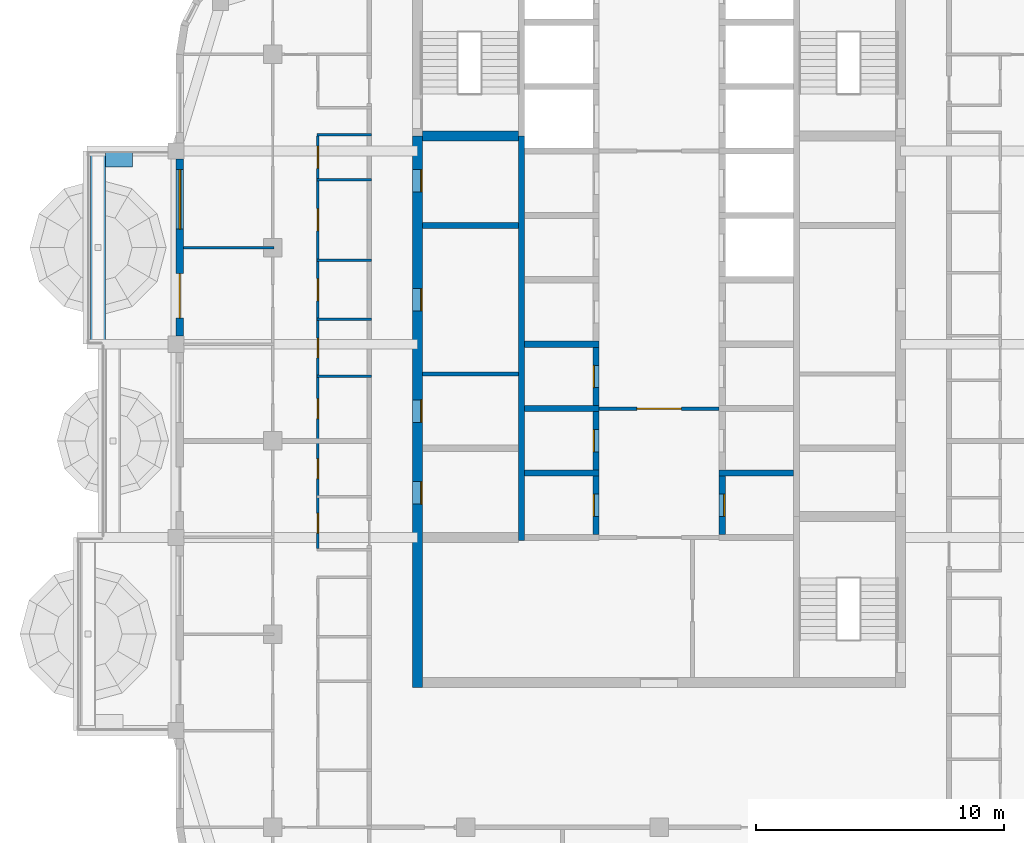
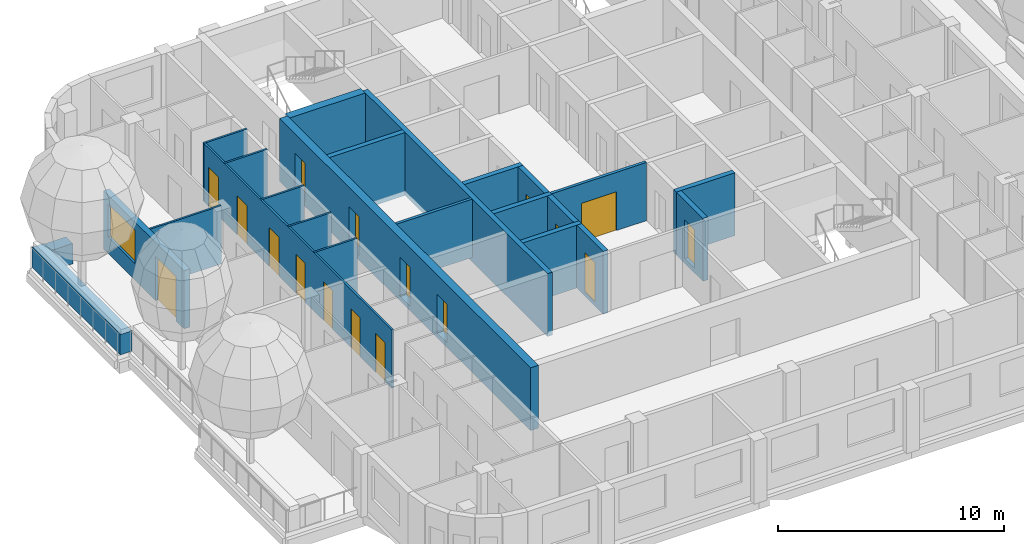
# One storey, part 4 of 13: 24 walls, 17 doors, 1 window, 18 openings.
"""IFC4 building model written with IfcOpenShell, lengths in metres."""

from ifc_helpers import new_model, si_unit, direction, frame, frame_2d, origin, place, context, subcontext, project, spatial, rectangle, extrude, material, layer, layer_set, type_object, element, fill, save


model = new_model("IFC4")

# Units and contexts
model_context = context("Model", 3, precision=1e-05, world=origin(), true_north=direction((0.0, 1.0)))
body_context = subcontext(model_context, "Body", "Model", "MODEL_VIEW")
ifc_project = project(units=[si_unit("LENGTHUNIT", "METRE"), si_unit("AREAUNIT", "SQUARE_METRE"), si_unit("VOLUMEUNIT", "CUBIC_METRE"), si_unit("PLANEANGLEUNIT", "RADIAN"), si_unit("MASSUNIT", "GRAM", prefix="KILO")], contexts=[model_context])

# Site, building, storey
site_placement = place(None, origin())
site = spatial("IfcSite", under=ifc_project, at=site_placement, CompositionType="ELEMENT")
building_placement = place(site_placement, origin())
building = spatial("IfcBuilding", under=site, at=building_placement, Name="Ludao Terraces", CompositionType="ELEMENT")
storey_placement = place(building_placement, frame((0.0, 0.0, 259.60009765625)))
storey = spatial("IfcBuildingStorey", under=building, at=storey_placement, Name="L71", CompositionType="ELEMENT", Elevation=259.60009765625)

# Wall, openings, doors
ifc_material_1 = material(Name="Concrete C50", Category="concrete")
ifc_layer_1 = layer(ifc_material_1, 0.39990234375)
ifc_layer_set_1 = layer_set([ifc_layer_1], Name="Core wall 400 C50")
wall_type_1 = type_object("IfcWallType", Name="Core wall 400 C50", PredefinedType="SOLIDWALL", material=ifc_layer_set_1)
wall_1_placement = place(storey_placement, frame((75.25, 55.050048828125, -0.25), z_axis=(0.0, 0.0, 1.0), x_axis=(0.0, 1.0, 0.0)))
wall_1 = element("IfcWall", 1, at=wall_1_placement, inside=storey, type_object=wall_type_1, Name="Core wall L71 outer-W", PredefinedType="SOLIDWALL", context=body_context, shape_type="SweptSolid", body=[
    extrude(rectangle(XDim=22.25, YDim=0.39990234375, at=frame_2d((11.125, 0.0))), origin(), (0.0, 0.0, 1.0), 3.39990234375),
])
opening_1_placement = place(wall_1_placement, frame((7.39990234375, 0.0, 0.25)))
opening_1 = element("IfcOpeningElement", 2, at=opening_1_placement, cuts=wall_1, Name="Opening R26-031", PredefinedType="OPENING", context=body_context, shape_type="SweptSolid", body=[
    extrude(rectangle(XDim=0.89990234375, YDim=2.10009765625, at=frame_2d((0.449951171875, 1.050048828125))), frame((0.0, 0.2099609375, 0.0), z_axis=(0.0, -1.0, 0.0), x_axis=(1.0, 0.0, 0.0)), (0.0, 0.0, 1.0), 0.419921875),
])
opening_2_placement = place(wall_1_placement, frame((10.699951171875, 0.0, 0.25)))
opening_2 = element("IfcOpeningElement", 3, at=opening_2_placement, cuts=wall_1, Name="Opening R26-039", PredefinedType="OPENING", context=body_context, shape_type="SweptSolid", body=[
    extrude(rectangle(XDim=0.89990234375, YDim=2.10009765625, at=frame_2d((0.449951171875, 1.050048828125))), frame((0.0, 0.2099609375, 0.0), z_axis=(0.0, -1.0, 0.0), x_axis=(1.0, 0.0, 0.0)), (0.0, 0.0, 1.0), 0.419921875),
])
opening_3_placement = place(wall_1_placement, frame((15.199951171875, 0.0, 0.25)))
opening_3 = element("IfcOpeningElement", 4, at=opening_3_placement, cuts=wall_1, Name="Opening R26-053", PredefinedType="OPENING", context=body_context, shape_type="SweptSolid", body=[
    extrude(rectangle(XDim=0.89990234375, YDim=2.10009765625, at=frame_2d((0.449951171875, 1.050048828125))), frame((0.0, 0.2099609375, 0.0), z_axis=(0.0, -1.0, 0.0), x_axis=(1.0, 0.0, 0.0)), (0.0, 0.0, 1.0), 0.419921875),
])
opening_4_placement = place(wall_1_placement, frame((20.0, 0.0, 0.25)))
opening_4 = element("IfcOpeningElement", 5, at=opening_4_placement, cuts=wall_1, Name="Opening R26-065", PredefinedType="OPENING", context=body_context, shape_type="SweptSolid", body=[
    extrude(rectangle(XDim=0.89990234375, YDim=2.10009765625, at=frame_2d((0.449951171875, 1.050048828125))), frame((0.0, 0.2099609375, 0.0), z_axis=(0.0, -1.0, 0.0), x_axis=(1.0, 0.0, 0.0)), (0.0, 0.0, 1.0), 0.419921875),
])
ifc_material_2 = material(Name="Steel Q235", Category="steel")
door_type_1 = type_object("IfcDoorType", Name="INT Riser door 900", OperationType="SINGLE_SWING_LEFT", PredefinedType="DOOR", material=ifc_material_2)
door_1_placement = place(opening_1_placement, origin())
door_1 = element("IfcDoor", 6, at=door_1_placement, inside=storey, type_object=door_type_1, Name="DOOR 031", OperationType="SINGLE_SWING_RIGHT", OverallHeight=2.10009765625, OverallWidth=0.89990234375, PredefinedType="DOOR", context=body_context, shape_type="SweptSolid", body=[
    extrude(rectangle(XDim=0.89990234375, YDim=2.10009765625, at=frame_2d((0.449951171875, 1.050048828125))), frame((0.0, -0.134765625, 0.0), z_axis=(0.0, -1.0, 0.0), x_axis=(1.0, 0.0, 0.0)), (0.0, 0.0, 1.0), 0.050048828125),
])
fill(opening_1, door_1)
door_2_placement = place(opening_4_placement, origin())
door_2 = element("IfcDoor", 7, at=door_2_placement, inside=storey, type_object=door_type_1, Name="DOOR 065", OperationType="SINGLE_SWING_LEFT", OverallHeight=2.10009765625, OverallWidth=0.89990234375, PredefinedType="DOOR", context=body_context, shape_type="SweptSolid", body=[
    extrude(rectangle(XDim=0.89990234375, YDim=2.10009765625, at=frame_2d((0.449951171875, 1.050048828125))), frame((0.0, -0.134765625, 0.0), z_axis=(0.0, -1.0, 0.0), x_axis=(1.0, 0.0, 0.0)), (0.0, 0.0, 1.0), 0.050048828125),
])
fill(opening_4, door_2)
ifc_material_3 = material(Name="Timber door leaf", Category="wood")
door_type_2 = type_object("IfcDoorType", Name="INT Room door 900", OperationType="SINGLE_SWING_LEFT", PredefinedType="DOOR", material=ifc_material_3)
door_3_placement = place(opening_2_placement, origin())
door_3 = element("IfcDoor", 8, at=door_3_placement, inside=storey, type_object=door_type_2, Name="DOOR 039", OperationType="SINGLE_SWING_RIGHT", OverallHeight=2.10009765625, OverallWidth=0.89990234375, PredefinedType="DOOR", context=body_context, shape_type="SweptSolid", body=[
    extrude(rectangle(XDim=0.89990234375, YDim=2.10009765625, at=frame_2d((0.449951171875, 1.050048828125))), frame((0.0, -0.134765625, 0.0), z_axis=(0.0, -1.0, 0.0), x_axis=(1.0, 0.0, 0.0)), (0.0, 0.0, 1.0), 0.050048828125),
])
fill(opening_2, door_3)
door_4_placement = place(opening_3_placement, origin())
door_4 = element("IfcDoor", 9, at=door_4_placement, inside=storey, type_object=door_type_2, Name="DOOR 053", OperationType="SINGLE_SWING_RIGHT", OverallHeight=2.10009765625, OverallWidth=0.89990234375, PredefinedType="DOOR", context=body_context, shape_type="SweptSolid", body=[
    extrude(rectangle(XDim=0.89990234375, YDim=2.10009765625, at=frame_2d((0.449951171875, 1.050048828125))), frame((0.0, -0.134765625, 0.0), z_axis=(0.0, -1.0, 0.0), x_axis=(1.0, 0.0, 0.0)), (0.0, 0.0, 1.0), 0.050048828125),
])
fill(opening_3, door_4)

# Walls
ifc_material_4 = material(Name="Concrete C40", Category="concrete")
ifc_layer_2 = layer(ifc_material_4, 0.60009765625)
ifc_layer_set_2 = layer_set([ifc_layer_2], Name="ENV Planter trough 600")
wall_type_2 = type_object("IfcWallType", Name="ENV Planter trough 600", PredefinedType="USERDEFINED", material=ifc_layer_set_2)
wall_2_placement = place(storey_placement, frame((62.35009765625, 68.89990234375, 0.0), z_axis=(0.0, 0.0, 1.0), x_axis=(0.0, 1.0, 0.0)))
element("IfcWall", 10, at=wall_2_placement, inside=storey, type_object=wall_type_2, Name="PL-L71-W3", ObjectType="PLANTER", PredefinedType="USERDEFINED", context=body_context, shape_type="SweptSolid", body=[
    extrude(rectangle(XDim=7.800048828125, YDim=0.60009765625, at=frame_2d((3.89990234375, 0.0))), origin(), (0.0, 0.0, 1.0), 1.099853515625),
])
wall_3_placement = place(storey_placement, frame((62.64990234375, 76.35009765625, 0.0), z_axis=(0.0, 0.0, 1.0), x_axis=(1.0, 0.0, 0.0)))
element("IfcWall", 11, at=wall_3_placement, inside=storey, type_object=wall_type_2, Name="PL-L71-W3-SB", ObjectType="PLANTER", PredefinedType="USERDEFINED", context=body_context, shape_type="SweptSolid", body=[
    extrude(rectangle(XDim=1.10009765625, YDim=0.60009765625, at=frame_2d((0.550048828125, 0.0))), origin(), (0.0, 0.0, 1.0), 1.099853515625),
])

# Wall, openings, door, window
ifc_material_5 = material(Name="Granite cladding", Category="masonry")
ifc_layer_3 = layer(ifc_material_5, 0.0400390625, Category="stone")
ifc_material_6 = material(Name="Mineral wool")
ifc_layer_4 = layer(ifc_material_6, 0.06005859375)
ifc_layer_5 = layer(ifc_material_4, 0.199951171875, Category="concrete")
ifc_layer_set_3 = layer_set([ifc_layer_3, ifc_layer_4, ifc_layer_5], Name="ENV Stone-clad wall 300")
wall_type_3 = type_object("IfcWallType", Name="ENV Stone-clad wall 300", PredefinedType="SOLIDWALL", material=ifc_layer_set_3)
wall_4_placement = place(storey_placement, frame((65.64990234375, 69.22509765625, 0.0), z_axis=(0.0, 0.0, 1.0), x_axis=(0.0, 1.0, 0.0)))
wall_4 = element("IfcWall", 12, at=wall_4_placement, inside=storey, type_object=wall_type_3, Name="EW-L71-W4", PredefinedType="SOLIDWALL", context=body_context, shape_type="SweptSolid", body=[
    extrude(rectangle(XDim=7.14990234375, YDim=0.300048828125, at=frame_2d((3.574951171875, 0.0))), origin(), (0.0, 0.0, 1.0), 3.14990234375),
])
opening_5_placement = place(wall_4_placement, frame((0.72509765625, 0.0, 0.0)))
opening_5 = element("IfcOpeningElement", 13, at=opening_5_placement, cuts=wall_4, Name="Opening BD", PredefinedType="OPENING", context=body_context, shape_type="SweptSolid", body=[
    extrude(rectangle(XDim=1.800048828125, YDim=2.39990234375, at=frame_2d((0.89990234375, 1.199951171875))), frame((0.0, 0.16015625, 0.0), z_axis=(0.0, -1.0, 0.0), x_axis=(1.0, 0.0, 0.0)), (0.0, 0.0, 1.0), 0.320068359375),
])
opening_6_placement = place(wall_4_placement, frame((4.324951171875, 0.0, 0.89990234375)))
opening_6 = element("IfcOpeningElement", 14, at=opening_6_placement, cuts=wall_4, Name="Opening W1", PredefinedType="OPENING", context=body_context, shape_type="SweptSolid", body=[
    extrude(rectangle(XDim=2.39990234375, YDim=1.800048828125, at=frame_2d((1.199951171875, 0.89990234375))), frame((0.0, 0.16015625, 0.0), z_axis=(0.0, -1.0, 0.0), x_axis=(1.0, 0.0, 0.0)), (0.0, 0.0, 1.0), 0.320068359375),
])
ifc_material_7 = material(Name="Aluminium glazed door", Category="aluminium")
ifc_layer_6 = layer(ifc_material_7, 0.06005859375)
ifc_layer_set_4 = layer_set([ifc_layer_6], Name="ENV Balcony door BD 1800x2400")
door_type_3 = type_object("IfcDoorType", Name="ENV Balcony door BD 1800x2400", OperationType="DOUBLE_DOOR_SINGLE_SWING", PredefinedType="DOOR", material=ifc_layer_set_4)
door_5_placement = place(opening_5_placement, origin())
door_5 = element("IfcDoor", 15, at=door_5_placement, inside=storey, type_object=door_type_3, Name="BD-L71-W4-1", OperationType="DOUBLE_DOOR_SINGLE_SWING", OverallHeight=2.39990234375, OverallWidth=1.800048828125, PredefinedType="DOOR", context=body_context, shape_type="SweptSolid", body=[
    extrude(rectangle(XDim=1.800048828125, YDim=2.39990234375, at=frame_2d((0.89990234375, 1.199951171875))), frame((0.0, 0.02490234375, 0.0), z_axis=(0.0, -1.0, 0.0), x_axis=(1.0, 0.0, 0.0)), (0.0, 0.0, 1.0), 0.050048828125),
])
fill(opening_5, door_5)
ifc_material_8 = material(Name="Clear glass in aluminium frame", Category="aluminium")
ifc_layer_7 = layer(ifc_material_8, 0.06005859375)
ifc_layer_set_5 = layer_set([ifc_layer_7], Name="ENV Window W1 2400x1800")
window_type = type_object("IfcWindowType", Name="ENV Window W1 2400x1800", PartitioningType="DOUBLE_PANEL_VERTICAL", PredefinedType="WINDOW", material=ifc_layer_set_5)
window_placement = place(opening_6_placement, origin())
window = element("IfcWindow", 16, at=window_placement, inside=storey, type_object=window_type, Name="W-L71-W4-2", OverallHeight=1.800048828125, OverallWidth=2.39990234375, PartitioningType="DOUBLE_PANEL_VERTICAL", PredefinedType="WINDOW", context=body_context, shape_type="SweptSolid", body=[
    extrude(rectangle(XDim=2.39990234375, YDim=1.800048828125, at=frame_2d((1.199951171875, 0.89990234375))), frame((0.0, 0.030029296875, 0.0), z_axis=(0.0, -1.0, 0.0), x_axis=(1.0, 0.0, 0.0)), (0.0, 0.0, 1.0), 0.06005859375),
])
fill(opening_6, window)

# Wall, opening, door
ifc_material_9 = material(Name="Fire-rated gypsum plasterboard", Category="gypsum")
ifc_layer_8 = layer(ifc_material_9, 0.012451171875, Category="gypsum")
ifc_layer_9 = layer(ifc_material_6, 0.10009765625, Name="insulation")
ifc_layer_10 = layer(ifc_material_2, 0.02490234375, Name="stud")
ifc_layer_11 = layer(ifc_material_9, 0.012451171875, Category="gypsum")
ifc_layer_set_6 = layer_set([ifc_layer_8, ifc_layer_9, ifc_layer_10, ifc_layer_11], Name="INT Core partition 150")
wall_type_4 = type_object("IfcWallType", Name="INT Core partition 150", PredefinedType="PARTITIONING", material=ifc_layer_set_6)
wall_5_placement = place(storey_placement, frame((82.5751953125, 66.300048828125, 0.0), z_axis=(0.0, 0.0, 1.0), x_axis=(1.0, 0.0, 0.0)))
wall_5 = element("IfcWall", 17, at=wall_5_placement, inside=storey, type_object=wall_type_4, Name="PW-L71-PW024", PredefinedType="PARTITIONING", context=body_context, shape_type="SweptSolid", body=[
    extrude(rectangle(XDim=4.849853515625, YDim=0.14990234375, at=frame_2d((2.4248046875, 0.0))), origin(), (0.0, 0.0, 1.0), 3.14990234375),
])
opening_7_placement = place(wall_5_placement, frame((1.52490234375, 0.0, 0.0)))
opening_7 = element("IfcOpeningElement", 18, at=opening_7_placement, cuts=wall_5, Name="Opening R26-043", PredefinedType="OPENING", context=body_context, shape_type="SweptSolid", body=[
    extrude(rectangle(XDim=1.800048828125, YDim=2.10009765625, at=frame_2d((0.89990234375, 1.050048828125))), frame((0.0, 0.0849609375, 0.0), z_axis=(0.0, -1.0, 0.0), x_axis=(1.0, 0.0, 0.0)), (0.0, 0.0, 1.0), 0.169921875),
])
door_type_4 = type_object("IfcDoorType", Name="INT Fire lobby door 1800", OperationType="DOUBLE_DOOR_SINGLE_SWING", PredefinedType="DOOR", material=ifc_material_2)
door_6_placement = place(opening_7_placement, origin())
door_6 = element("IfcDoor", 19, at=door_6_placement, inside=storey, type_object=door_type_4, Name="DOOR 043", OperationType="DOUBLE_DOOR_SINGLE_SWING", OverallHeight=2.10009765625, OverallWidth=1.800048828125, PredefinedType="DOOR", context=body_context, shape_type="SweptSolid", body=[
    extrude(rectangle(XDim=1.800048828125, YDim=2.10009765625, at=frame_2d((0.89990234375, 1.050048828125))), frame((0.0, 0.02490234375, 0.0), z_axis=(0.0, -1.0, 0.0), x_axis=(1.0, 0.0, 0.0)), (0.0, 0.0, 1.0), 0.050048828125),
])
fill(opening_7, door_6)

# Walls
wall_6_placement = place(storey_placement, frame((75.4501953125, 67.699951171875, 0.0), z_axis=(0.0, 0.0, 1.0), x_axis=(1.0, 0.0, 0.0)))
element("IfcWall", 20, at=wall_6_placement, inside=storey, type_object=wall_type_4, Name="PW-L71-PW027", PredefinedType="PARTITIONING", context=body_context, shape_type="SweptSolid", body=[
    extrude(rectangle(XDim=3.875, YDim=0.14990234375, at=frame_2d((1.9375, 0.0))), origin(), (0.0, 0.0, 1.0), 3.14990234375),
])
ifc_material_10 = material(Name="Gypsum plasterboard", Category="gypsum")
ifc_layer_12 = layer(ifc_material_10, 0.012451171875, Category="gypsum")
ifc_layer_13 = layer(ifc_material_6, 0.06005859375, Name="insulation")
ifc_layer_14 = layer(ifc_material_2, 0.014892578125, Name="stud")
ifc_layer_15 = layer(ifc_material_10, 0.012451171875, Category="gypsum")
ifc_layer_set_7 = layer_set([ifc_layer_12, ifc_layer_13, ifc_layer_14, ifc_layer_15], Name="INT Partition 100")
wall_type_5 = type_object("IfcWallType", Name="INT Partition 100", PredefinedType="PARTITIONING", material=ifc_layer_set_7)
for number, where, z_axis, x_axis, name in (
    (21, (71.18017578125, 67.60009765625, 0.0), (0.0, 0.0, 1.0), (1.0, 0.0, 0.0), "PW-L71-PW026"),
    (22, (71.18017578125, 69.89990234375, 0.0), (0.0, 0.0, 1.0), (1.0, 0.0, 0.0), "PW-L71-PW032"),
    (23, (71.18017578125, 72.300048828125, 0.0), (0.0, 0.0, 1.0), (1.0, 0.0, 0.0), "PW-L71-PW034"),
):
    element("IfcWall", number, at=place(storey_placement, frame(where, z_axis=z_axis, x_axis=x_axis)), inside=storey, type_object=wall_type_5, Name=name, PredefinedType="PARTITIONING", context=body_context, shape_type="SweptSolid", body=[
        extrude(rectangle(XDim=2.219970703125, YDim=0.10009765625, at=frame_2d((1.10986328125, 0.0))), origin(), (0.0, 0.0, 1.0), 3.14990234375),
    ])
wall_7_placement = place(storey_placement, frame((65.800048828125, 72.800048828125, 0.0), z_axis=(0.0, 0.0, 1.0), x_axis=(1.0, 0.0, 0.0)))
element("IfcWall", 24, at=wall_7_placement, inside=storey, type_object=wall_type_5, Name="PW-L71-PW035", PredefinedType="PARTITIONING", context=body_context, shape_type="SweptSolid", body=[
    extrude(rectangle(XDim=3.650146484375, YDim=0.10009765625, at=frame_2d((1.8251953125, 0.0))), origin(), (0.0, 0.0, 1.0), 3.14990234375),
])
for number, where, z_axis, x_axis, name in (
    (25, (71.18017578125, 75.550048828125, 0.0), (0.0, 0.0, 1.0), (1.0, 0.0, 0.0), "PW-L71-PW038"),
    (26, (71.18017578125, 77.35009765625, 0.0), (0.0, 0.0, 1.0), (1.0, 0.0, 0.0), "PW-L71-PW041"),
):
    element("IfcWall", number, at=place(storey_placement, frame(where, z_axis=z_axis, x_axis=x_axis)), inside=storey, type_object=wall_type_5, Name=name, PredefinedType="PARTITIONING", context=body_context, shape_type="SweptSolid", body=[
        extrude(rectangle(XDim=2.219970703125, YDim=0.10009765625, at=frame_2d((1.10986328125, 0.0))), origin(), (0.0, 0.0, 1.0), 3.14990234375),
    ])

# Wall, openings, doors
wall_8_placement = place(storey_placement, frame((71.22998046875, 60.650146484375, 0.0), z_axis=(0.0, 0.0, 1.0), x_axis=(0.0, 1.0, 0.0)))
wall_8 = element("IfcWall", 27, at=wall_8_placement, inside=storey, type_object=wall_type_5, Name="PW-L71-PW049", PredefinedType="PARTITIONING", context=body_context, shape_type="SweptSolid", body=[
    extrude(rectangle(XDim=16.64990234375, YDim=0.10009765625, at=frame_2d((8.324951171875, 0.0))), origin(), (0.0, 0.0, 1.0), 3.14990234375),
])
opening_8_placement = place(wall_8_placement, frame((0.625, 0.0, 0.0)))
opening_8 = element("IfcOpeningElement", 28, at=opening_8_placement, cuts=wall_8, Name="Opening R26-028", PredefinedType="OPENING", context=body_context, shape_type="SweptSolid", body=[
    extrude(rectangle(XDim=0.800048828125, YDim=2.10009765625, at=frame_2d((0.39990234375, 1.050048828125))), frame((0.0, 0.06005859375, 0.0), z_axis=(0.0, -1.0, 0.0), x_axis=(1.0, 0.0, 0.0)), (0.0, 0.0, 1.0), 0.1201171875),
])
opening_9_placement = place(wall_8_placement, frame((2.824951171875, 0.0, 0.0)))
opening_9 = element("IfcOpeningElement", 29, at=opening_9_placement, cuts=wall_8, Name="Opening R26-036", PredefinedType="OPENING", context=body_context, shape_type="SweptSolid", body=[
    extrude(rectangle(XDim=0.800048828125, YDim=2.10009765625, at=frame_2d((0.39990234375, 1.050048828125))), frame((0.0, 0.06005859375, 0.0), z_axis=(0.0, -1.0, 0.0), x_axis=(1.0, 0.0, 0.0)), (0.0, 0.0, 1.0), 0.1201171875),
])
opening_10_placement = place(wall_8_placement, frame((5.25, 0.0, 0.0)))
opening_10 = element("IfcOpeningElement", 30, at=opening_10_placement, cuts=wall_8, Name="Opening R26-042", PredefinedType="OPENING", context=body_context, shape_type="SweptSolid", body=[
    extrude(rectangle(XDim=0.800048828125, YDim=2.10009765625, at=frame_2d((0.39990234375, 1.050048828125))), frame((0.0, 0.06005859375, 0.0), z_axis=(0.0, -1.0, 0.0), x_axis=(1.0, 0.0, 0.0)), (0.0, 0.0, 1.0), 0.1201171875),
])
opening_11_placement = place(wall_8_placement, frame((7.699951171875, 0.0, 0.0)))
opening_11 = element("IfcOpeningElement", 31, at=opening_11_placement, cuts=wall_8, Name="Opening R26-049", PredefinedType="OPENING", context=body_context, shape_type="SweptSolid", body=[
    extrude(rectangle(XDim=0.800048828125, YDim=2.10009765625, at=frame_2d((0.39990234375, 1.050048828125))), frame((0.0, 0.06005859375, 0.0), z_axis=(0.0, -1.0, 0.0), x_axis=(1.0, 0.0, 0.0)), (0.0, 0.0, 1.0), 0.1201171875),
])
opening_12_placement = place(wall_8_placement, frame((10.0, 0.0, 0.0)))
opening_12 = element("IfcOpeningElement", 32, at=opening_12_placement, cuts=wall_8, Name="Opening R26-057", PredefinedType="OPENING", context=body_context, shape_type="SweptSolid", body=[
    extrude(rectangle(XDim=0.89990234375, YDim=2.10009765625, at=frame_2d((0.449951171875, 1.050048828125))), frame((0.0, 0.06005859375, 0.0), z_axis=(0.0, -1.0, 0.0), x_axis=(1.0, 0.0, 0.0)), (0.0, 0.0, 1.0), 0.1201171875),
])
opening_13_placement = place(wall_8_placement, frame((12.824951171875, 0.0, 0.0)))
opening_13 = element("IfcOpeningElement", 33, at=opening_13_placement, cuts=wall_8, Name="Opening R26-061", PredefinedType="OPENING", context=body_context, shape_type="SweptSolid", body=[
    extrude(rectangle(XDim=0.89990234375, YDim=2.10009765625, at=frame_2d((0.449951171875, 1.050048828125))), frame((0.0, 0.06005859375, 0.0), z_axis=(0.0, -1.0, 0.0), x_axis=(1.0, 0.0, 0.0)), (0.0, 0.0, 1.0), 0.1201171875),
])
opening_14_placement = place(wall_8_placement, frame((15.35009765625, 0.0, 0.0)))
opening_14 = element("IfcOpeningElement", 34, at=opening_14_placement, cuts=wall_8, Name="Opening R26-068", PredefinedType="OPENING", context=body_context, shape_type="SweptSolid", body=[
    extrude(rectangle(XDim=0.89990234375, YDim=2.10009765625, at=frame_2d((0.449951171875, 1.050048828125))), frame((0.0, 0.06005859375, 0.0), z_axis=(0.0, -1.0, 0.0), x_axis=(1.0, 0.0, 0.0)), (0.0, 0.0, 1.0), 0.1201171875),
])
door_type_5 = type_object("IfcDoorType", Name="INT Bathroom door 900", OperationType="SINGLE_SWING_LEFT", PredefinedType="DOOR", material=ifc_material_3)
door_7_placement = place(opening_12_placement, origin())
door_7 = element("IfcDoor", 35, at=door_7_placement, inside=storey, type_object=door_type_5, Name="DOOR 057", OperationType="SINGLE_SWING_LEFT", OverallHeight=2.10009765625, OverallWidth=0.89990234375, PredefinedType="DOOR", context=body_context, shape_type="SweptSolid", body=[
    extrude(rectangle(XDim=0.89990234375, YDim=2.10009765625, at=frame_2d((0.449951171875, 1.050048828125))), frame((0.0, 0.02490234375, 0.0), z_axis=(0.0, -1.0, 0.0), x_axis=(1.0, 0.0, 0.0)), (0.0, 0.0, 1.0), 0.050048828125),
])
fill(opening_12, door_7)
door_8_placement = place(opening_14_placement, origin())
door_8 = element("IfcDoor", 36, at=door_8_placement, inside=storey, type_object=door_type_5, Name="DOOR 068", OperationType="SINGLE_SWING_RIGHT", OverallHeight=2.10009765625, OverallWidth=0.89990234375, PredefinedType="DOOR", context=body_context, shape_type="SweptSolid", body=[
    extrude(rectangle(XDim=0.89990234375, YDim=2.10009765625, at=frame_2d((0.449951171875, 1.050048828125))), frame((0.0, 0.02490234375, 0.0), z_axis=(0.0, -1.0, 0.0), x_axis=(1.0, 0.0, 0.0)), (0.0, 0.0, 1.0), 0.050048828125),
])
fill(opening_14, door_8)
door_9_placement = place(opening_13_placement, origin())
door_9 = element("IfcDoor", 37, at=door_9_placement, inside=storey, type_object=door_type_2, Name="DOOR 061", OperationType="SINGLE_SWING_RIGHT", OverallHeight=2.10009765625, OverallWidth=0.89990234375, PredefinedType="DOOR", context=body_context, shape_type="SweptSolid", body=[
    extrude(rectangle(XDim=0.89990234375, YDim=2.10009765625, at=frame_2d((0.449951171875, 1.050048828125))), frame((0.0, 0.02490234375, 0.0), z_axis=(0.0, -1.0, 0.0), x_axis=(1.0, 0.0, 0.0)), (0.0, 0.0, 1.0), 0.050048828125),
])
fill(opening_13, door_9)
door_type_6 = type_object("IfcDoorType", Name="INT Store door 800", OperationType="SINGLE_SWING_LEFT", PredefinedType="DOOR", material=ifc_material_3)
door_10_placement = place(opening_8_placement, origin())
door_10 = element("IfcDoor", 38, at=door_10_placement, inside=storey, type_object=door_type_6, Name="DOOR 028", OperationType="SINGLE_SWING_RIGHT", OverallHeight=2.10009765625, OverallWidth=0.800048828125, PredefinedType="DOOR", context=body_context, shape_type="SweptSolid", body=[
    extrude(rectangle(XDim=0.800048828125, YDim=2.10009765625, at=frame_2d((0.39990234375, 1.050048828125))), frame((0.0, 0.02490234375, 0.0), z_axis=(0.0, -1.0, 0.0), x_axis=(1.0, 0.0, 0.0)), (0.0, 0.0, 1.0), 0.050048828125),
])
fill(opening_8, door_10)
door_11_placement = place(opening_9_placement, origin())
door_11 = element("IfcDoor", 39, at=door_11_placement, inside=storey, type_object=door_type_6, Name="DOOR 036", OperationType="SINGLE_SWING_RIGHT", OverallHeight=2.10009765625, OverallWidth=0.800048828125, PredefinedType="DOOR", context=body_context, shape_type="SweptSolid", body=[
    extrude(rectangle(XDim=0.800048828125, YDim=2.10009765625, at=frame_2d((0.39990234375, 1.050048828125))), frame((0.0, 0.02490234375, 0.0), z_axis=(0.0, -1.0, 0.0), x_axis=(1.0, 0.0, 0.0)), (0.0, 0.0, 1.0), 0.050048828125),
])
fill(opening_9, door_11)
door_12_placement = place(opening_10_placement, origin())
door_12 = element("IfcDoor", 40, at=door_12_placement, inside=storey, type_object=door_type_6, Name="DOOR 042", OperationType="SINGLE_SWING_RIGHT", OverallHeight=2.10009765625, OverallWidth=0.800048828125, PredefinedType="DOOR", context=body_context, shape_type="SweptSolid", body=[
    extrude(rectangle(XDim=0.800048828125, YDim=2.10009765625, at=frame_2d((0.39990234375, 1.050048828125))), frame((0.0, 0.02490234375, 0.0), z_axis=(0.0, -1.0, 0.0), x_axis=(1.0, 0.0, 0.0)), (0.0, 0.0, 1.0), 0.050048828125),
])
fill(opening_10, door_12)
door_13_placement = place(opening_11_placement, origin())
door_13 = element("IfcDoor", 41, at=door_13_placement, inside=storey, type_object=door_type_6, Name="DOOR 049", OperationType="SINGLE_SWING_RIGHT", OverallHeight=2.10009765625, OverallWidth=0.800048828125, PredefinedType="DOOR", context=body_context, shape_type="SweptSolid", body=[
    extrude(rectangle(XDim=0.800048828125, YDim=2.10009765625, at=frame_2d((0.39990234375, 1.050048828125))), frame((0.0, 0.02490234375, 0.0), z_axis=(0.0, -1.0, 0.0), x_axis=(1.0, 0.0, 0.0)), (0.0, 0.0, 1.0), 0.050048828125),
])
fill(opening_11, door_13)

# Wall
ifc_layer_16 = layer(ifc_material_1, 0.25)
ifc_layer_set_8 = layer_set([ifc_layer_16], Name="Shaft wall 250 C50")
wall_type_6 = type_object("IfcWallType", Name="Shaft wall 250 C50", PredefinedType="SOLIDWALL", material=ifc_layer_set_8)
wall_9_placement = place(storey_placement, frame((79.449951171875, 60.97509765625, -0.25), z_axis=(0.0, 0.0, 1.0), x_axis=(0.0, 1.0, 0.0)))
element("IfcWall", 42, at=wall_9_placement, inside=storey, type_object=wall_type_6, Name="Core wall L71 back-W", PredefinedType="SOLIDWALL", context=body_context, shape_type="SweptSolid", body=[
    extrude(rectangle(XDim=16.324951171875, YDim=0.25, at=frame_2d((8.16259765625, 0.0))), origin(), (0.0, 0.0, 1.0), 3.39990234375),
])

# Wall, opening, door
wall_10_placement = place(storey_placement, frame((82.449951171875, 61.22509765625, -0.25), z_axis=(0.0, 0.0, 1.0), x_axis=(0.0, 1.0, 0.0)))
wall_10 = element("IfcWall", 43, at=wall_10_placement, inside=storey, type_object=wall_type_6, Name="Core wall L71 front-W1", PredefinedType="SOLIDWALL", context=body_context, shape_type="SweptSolid", body=[
    extrude(rectangle(XDim=2.349853515625, YDim=0.25, at=frame_2d((1.1748046875, 0.0))), origin(), (0.0, 0.0, 1.0), 3.39990234375),
])
opening_15_placement = place(wall_10_placement, frame((0.72509765625, 0.0, 0.25)))
opening_15 = element("IfcOpeningElement", 44, at=opening_15_placement, cuts=wall_10, Name="Opening R26-029", PredefinedType="OPENING", context=body_context, shape_type="SweptSolid", body=[
    extrude(rectangle(XDim=0.89990234375, YDim=2.10009765625, at=frame_2d((0.449951171875, 1.050048828125))), frame((0.0, 0.135009765625, 0.0), z_axis=(0.0, -1.0, 0.0), x_axis=(1.0, 0.0, 0.0)), (0.0, 0.0, 1.0), 0.27001953125),
])
door_14_placement = place(opening_15_placement, origin())
door_14 = element("IfcDoor", 45, at=door_14_placement, inside=storey, type_object=door_type_2, Name="DOOR 029", OperationType="SINGLE_SWING_LEFT", OverallHeight=2.10009765625, OverallWidth=0.89990234375, PredefinedType="DOOR", context=body_context, shape_type="SweptSolid", body=[
    extrude(rectangle(XDim=0.89990234375, YDim=2.10009765625, at=frame_2d((0.449951171875, 1.050048828125))), frame((0.0, 0.10986328125, 0.0), z_axis=(0.0, -1.0, 0.0), x_axis=(1.0, 0.0, 0.0)), (0.0, 0.0, 1.0), 0.050048828125),
])
fill(opening_15, door_14)

# Wall
wall_11_placement = place(storey_placement, frame((79.574951171875, 63.699951171875, -0.25), z_axis=(0.0, 0.0, 1.0), x_axis=(1.0, 0.0, 0.0)))
element("IfcWall", 46, at=wall_11_placement, inside=storey, type_object=wall_type_6, Name="Core wall L71 div-W2", PredefinedType="SOLIDWALL", context=body_context, shape_type="SweptSolid", body=[
    extrude(rectangle(XDim=3.0, YDim=0.25, at=frame_2d((1.5, 0.0))), origin(), (0.0, 0.0, 1.0), 3.39990234375),
])

# Wall, opening, door
wall_12_placement = place(storey_placement, frame((82.449951171875, 63.824951171875, -0.25), z_axis=(0.0, 0.0, 1.0), x_axis=(0.0, 1.0, 0.0)))
wall_12 = element("IfcWall", 47, at=wall_12_placement, inside=storey, type_object=wall_type_6, Name="Core wall L71 front-W2", PredefinedType="SOLIDWALL", context=body_context, shape_type="SweptSolid", body=[
    extrude(rectangle(XDim=2.35009765625, YDim=0.25, at=frame_2d((1.175048828125, 0.0))), origin(), (0.0, 0.0, 1.0), 3.39990234375),
])
opening_16_placement = place(wall_12_placement, frame((0.72509765625, 0.0, 0.25)))
opening_16 = element("IfcOpeningElement", 48, at=opening_16_placement, cuts=wall_12, Name="Opening R26-037", PredefinedType="OPENING", context=body_context, shape_type="SweptSolid", body=[
    extrude(rectangle(XDim=0.89990234375, YDim=2.10009765625, at=frame_2d((0.449951171875, 1.050048828125))), frame((0.0, 0.135009765625, 0.0), z_axis=(0.0, -1.0, 0.0), x_axis=(1.0, 0.0, 0.0)), (0.0, 0.0, 1.0), 0.27001953125),
])
door_15_placement = place(opening_16_placement, origin())
door_15 = element("IfcDoor", 49, at=door_15_placement, inside=storey, type_object=door_type_2, Name="DOOR 037", OperationType="SINGLE_SWING_LEFT", OverallHeight=2.10009765625, OverallWidth=0.89990234375, PredefinedType="DOOR", context=body_context, shape_type="SweptSolid", body=[
    extrude(rectangle(XDim=0.89990234375, YDim=2.10009765625, at=frame_2d((0.449951171875, 1.050048828125))), frame((0.0, 0.10986328125, 0.0), z_axis=(0.0, -1.0, 0.0), x_axis=(1.0, 0.0, 0.0)), (0.0, 0.0, 1.0), 0.050048828125),
])
fill(opening_16, door_15)

# Wall
wall_13_placement = place(storey_placement, frame((79.574951171875, 66.300048828125, -0.25), z_axis=(0.0, 0.0, 1.0), x_axis=(1.0, 0.0, 0.0)))
element("IfcWall", 50, at=wall_13_placement, inside=storey, type_object=wall_type_6, Name="Core wall L71 div-W3", PredefinedType="SOLIDWALL", context=body_context, shape_type="SweptSolid", body=[
    extrude(rectangle(XDim=3.0, YDim=0.25, at=frame_2d((1.5, 0.0))), origin(), (0.0, 0.0, 1.0), 3.39990234375),
])

# Wall, opening, door
wall_14_placement = place(storey_placement, frame((82.449951171875, 66.425048828125, -0.25), z_axis=(0.0, 0.0, 1.0), x_axis=(0.0, 1.0, 0.0)))
wall_14 = element("IfcWall", 51, at=wall_14_placement, inside=storey, type_object=wall_type_6, Name="Core wall L71 front-W3", PredefinedType="SOLIDWALL", context=body_context, shape_type="SweptSolid", body=[
    extrude(rectangle(XDim=2.349853515625, YDim=0.25, at=frame_2d((1.1748046875, 0.0))), origin(), (0.0, 0.0, 1.0), 3.39990234375),
])
opening_17_placement = place(wall_14_placement, frame((0.72509765625, 0.0, 0.25)))
opening_17 = element("IfcOpeningElement", 52, at=opening_17_placement, cuts=wall_14, Name="Opening R26-046", PredefinedType="OPENING", context=body_context, shape_type="SweptSolid", body=[
    extrude(rectangle(XDim=0.89990234375, YDim=2.10009765625, at=frame_2d((0.449951171875, 1.050048828125))), frame((0.0, 0.135009765625, 0.0), z_axis=(0.0, -1.0, 0.0), x_axis=(1.0, 0.0, 0.0)), (0.0, 0.0, 1.0), 0.27001953125),
])
door_16_placement = place(opening_17_placement, origin())
door_16 = element("IfcDoor", 53, at=door_16_placement, inside=storey, type_object=door_type_2, Name="DOOR 046", OperationType="SINGLE_SWING_LEFT", OverallHeight=2.10009765625, OverallWidth=0.89990234375, PredefinedType="DOOR", context=body_context, shape_type="SweptSolid", body=[
    extrude(rectangle(XDim=0.89990234375, YDim=2.10009765625, at=frame_2d((0.449951171875, 1.050048828125))), frame((0.0, 0.10986328125, 0.0), z_axis=(0.0, -1.0, 0.0), x_axis=(1.0, 0.0, 0.0)), (0.0, 0.0, 1.0), 0.050048828125),
])
fill(opening_17, door_16)

# Wall
wall_15_placement = place(storey_placement, frame((79.574951171875, 68.89990234375, -0.25), z_axis=(0.0, 0.0, 1.0), x_axis=(1.0, 0.0, 0.0)))
element("IfcWall", 54, at=wall_15_placement, inside=storey, type_object=wall_type_6, Name="Core wall L71 div-W4", PredefinedType="SOLIDWALL", context=body_context, shape_type="SweptSolid", body=[
    extrude(rectangle(XDim=3.0, YDim=0.25, at=frame_2d((1.5, 0.0))), origin(), (0.0, 0.0, 1.0), 3.39990234375),
])

# Wall, opening, door
wall_16_placement = place(storey_placement, frame((87.550048828125, 61.22509765625, -0.25), z_axis=(0.0, 0.0, 1.0), x_axis=(0.0, 1.0, 0.0)))
wall_16 = element("IfcWall", 55, at=wall_16_placement, inside=storey, type_object=wall_type_6, Name="Core wall L71 front-E1", PredefinedType="SOLIDWALL", context=body_context, shape_type="SweptSolid", body=[
    extrude(rectangle(XDim=2.349853515625, YDim=0.25, at=frame_2d((1.1748046875, 0.0))), origin(), (0.0, 0.0, 1.0), 3.39990234375),
])
opening_18_placement = place(wall_16_placement, frame((0.72509765625, 0.0, 0.25)))
opening_18 = element("IfcOpeningElement", 56, at=opening_18_placement, cuts=wall_16, Name="Opening R26-030", PredefinedType="OPENING", context=body_context, shape_type="SweptSolid", body=[
    extrude(rectangle(XDim=0.89990234375, YDim=2.10009765625, at=frame_2d((0.449951171875, 1.050048828125))), frame((0.0, 0.135009765625, 0.0), z_axis=(0.0, -1.0, 0.0), x_axis=(1.0, 0.0, 0.0)), (0.0, 0.0, 1.0), 0.27001953125),
])
door_17_placement = place(opening_18_placement, origin())
door_17 = element("IfcDoor", 57, at=door_17_placement, inside=storey, type_object=door_type_2, Name="DOOR 030", OperationType="SINGLE_SWING_RIGHT", OverallHeight=2.10009765625, OverallWidth=0.89990234375, PredefinedType="DOOR", context=body_context, shape_type="SweptSolid", body=[
    extrude(rectangle(XDim=0.89990234375, YDim=2.10009765625, at=frame_2d((0.449951171875, 1.050048828125))), frame((0.0, -0.06005859375, 0.0), z_axis=(0.0, -1.0, 0.0), x_axis=(1.0, 0.0, 0.0)), (0.0, 0.0, 1.0), 0.050048828125),
])
fill(opening_18, door_17)

# Walls
wall_17_placement = place(storey_placement, frame((87.425048828125, 63.699951171875, -0.25), z_axis=(0.0, 0.0, 1.0), x_axis=(1.0, 0.0, 0.0)))
element("IfcWall", 58, at=wall_17_placement, inside=storey, type_object=wall_type_6, Name="Core wall L71 div-E2", PredefinedType="SOLIDWALL", context=body_context, shape_type="SweptSolid", body=[
    extrude(rectangle(XDim=3.0, YDim=0.25, at=frame_2d((1.5, 0.0))), origin(), (0.0, 0.0, 1.0), 3.39990234375),
])
wall_18_placement = place(storey_placement, frame((75.449951171875, 73.699951171875, -0.25), z_axis=(0.0, 0.0, 1.0), x_axis=(1.0, 0.0, 0.0)))
element("IfcWall", 59, at=wall_18_placement, inside=storey, type_object=wall_type_6, Name="Core wall L71 riser-b-W", PredefinedType="SOLIDWALL", context=body_context, shape_type="SweptSolid", body=[
    extrude(rectangle(XDim=3.875, YDim=0.25, at=frame_2d((1.9375, 0.0))), origin(), (0.0, 0.0, 1.0), 3.39990234375),
])
ifc_layer_17 = layer(ifc_material_1, 0.39990234375)
ifc_layer_set_9 = layer_set([ifc_layer_17], Name="Shaft wall 400 C50")
wall_type_7 = type_object("IfcWallType", Name="Shaft wall 400 C50", PredefinedType="SOLIDWALL", material=ifc_layer_set_9)
wall_19_placement = place(storey_placement, frame((75.449951171875, 77.300048828125, -0.25), z_axis=(0.0, 0.0, 1.0), x_axis=(1.0, 0.0, 0.0)))
element("IfcWall", 60, at=wall_19_placement, inside=storey, type_object=wall_type_7, Name="Core wall L71 stair-W", PredefinedType="SOLIDWALL", context=body_context, shape_type="SweptSolid", body=[
    extrude(rectangle(XDim=3.875, YDim=0.39990234375, at=frame_2d((1.9375, 0.0))), origin(), (0.0, 0.0, 1.0), 3.39990234375),
])

save(model, "model.ifc")
